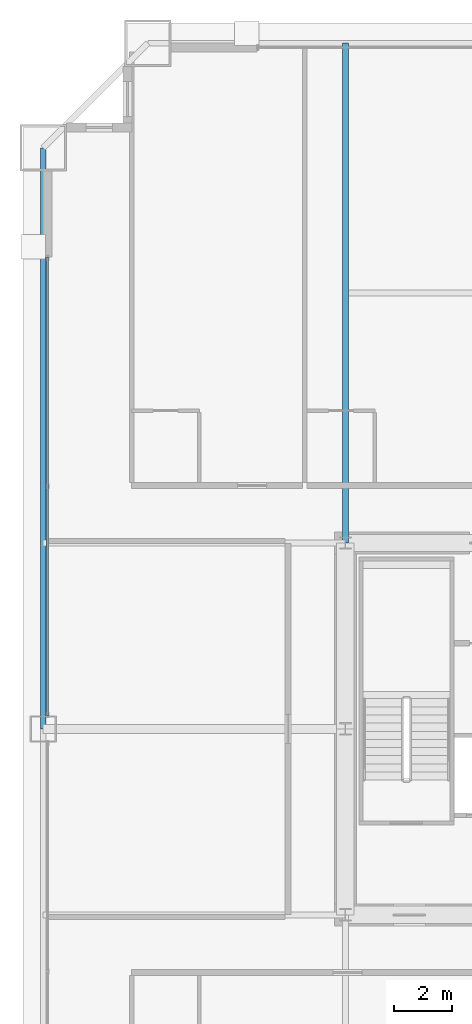
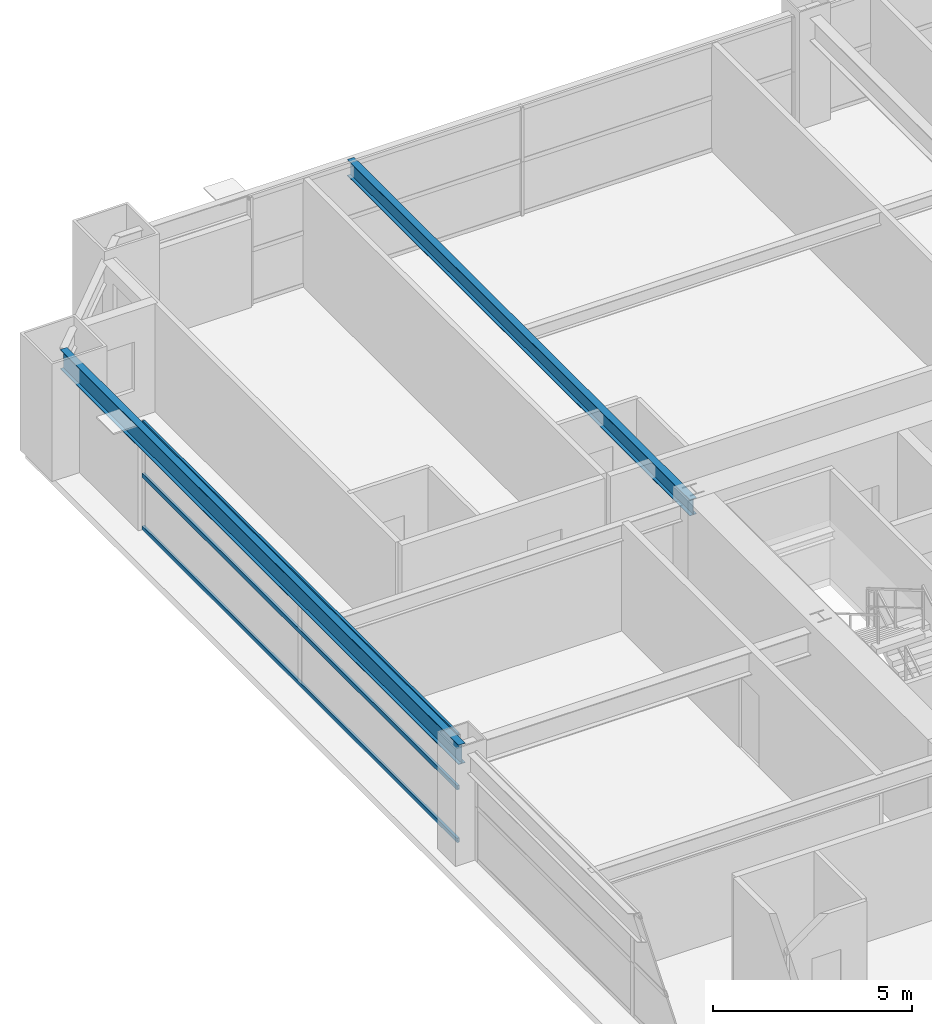
# One storey, part 21 of 38: 3 members, 2 beams, 1 element without a shape of its own.
"""IFC4 building model written with IfcOpenShell, lengths in metres."""

from ifc_helpers import new_model, si_unit, direction, frame, origin, origin_2d, place, context, subcontext, project, spatial, hollow_rectangle, i_section, extrude, source, transform, mapped, material, layer, layer_set, material_profile, profile_set, type_object, element, aggregate, save


model = new_model("IFC4")

# Units and contexts
model_context = context("Model", 3, precision=1e-05, world=origin(), true_north=direction((0.0, 1.0)))
body_context = subcontext(model_context, "Body", "Model", "MODEL_VIEW")
ifc_project = project(units=[si_unit("LENGTHUNIT", "METRE"), si_unit("AREAUNIT", "SQUARE_METRE"), si_unit("VOLUMEUNIT", "CUBIC_METRE"), si_unit("PLANEANGLEUNIT", "RADIAN"), si_unit("MASSUNIT", "GRAM", prefix="KILO"), si_unit("THERMODYNAMICTEMPERATUREUNIT", "KELVIN"), si_unit("POWERUNIT", "WATT")], contexts=[model_context])

# Site, building, storey
site_placement = place(None, origin())
site = spatial("IfcSite", under=ifc_project, at=site_placement, CompositionType="ELEMENT")
building_placement = place(site_placement, origin())
building = spatial("IfcBuilding", under=site, at=building_placement, Name="Yuzanri Waterfront Tower", CompositionType="ELEMENT")
storey_placement = place(building_placement, frame((0.0, 0.0, 126.199951171875)))
storey = spatial("IfcBuildingStorey", under=building, at=storey_placement, Name="L33", CompositionType="ELEMENT", Elevation=126.199951171875)

# Beams
ifc_material_1 = material(Name="Steel Q355B", Category="steel")
ifc_material_profile_1 = material_profile(ifc_material_1, i_section(OverallWidth=0.199951171875, OverallDepth=0.60009765625, WebThickness=0.010986328125, FlangeThickness=0.01708984375, at=origin_2d()), Name="HN 600x200x11x17")
ifc_profile_set_1 = profile_set([ifc_material_profile_1], Name="Steel Q355B")
beam_type_1 = type_object("IfcBeamType", Name="Perimeter Spandrel Q355B HN 600x200", PredefinedType="SPANDREL", material=ifc_profile_set_1)
shared_shape_1 = source(origin(), body_context, "Body", "SweptSolid", [
    extrude(i_section(OverallWidth=0.199951171875, OverallDepth=0.60009765625, WebThickness=0.010986328125, FlangeThickness=0.01708984375, at=origin_2d()), origin(), (0.0, 0.0, 1.0), 20.0),
])
beam_1_placement = place(storey_placement, frame((13.39990234375, 45.800048828125, 3.02001953125), z_axis=(0.0, -1.0, 0.0), x_axis=(1.0, 0.0, 0.0)))
element("IfcBeam", 1, at=beam_1_placement, inside=storey, type_object=beam_type_1, Name="L33 Perimeter Spandrel W3-W2", PredefinedType="SPANDREL", context=body_context, shape_type="MappedRepresentation", body=[
    mapped(shared_shape_1, transform((0.0, 0.0, 0.0), scale=1.0)),
])
ifc_material_2 = material(Name="Steel Q355B", Category="steel")
ifc_material_profile_2 = material_profile(ifc_material_2, i_section(OverallWidth=0.199951171875, OverallDepth=0.5, WebThickness=0.010009765625, FlangeThickness=0.01611328125, at=origin_2d()), Name="HN 500x200x10x16")
ifc_profile_set_2 = profile_set([ifc_material_profile_2], Name="Steel Q355B")
beam_type_2 = type_object("IfcBeamType", Name="Secondary Floor Beam Q355B HN 500x200", PredefinedType="BEAM", material=ifc_profile_set_2)
shared_shape_2 = source(origin(), body_context, "Body", "SweptSolid", [
    extrude(i_section(OverallWidth=0.199951171875, OverallDepth=0.5, WebThickness=0.010009765625, FlangeThickness=0.01611328125, at=origin_2d()), origin(), (0.0, 0.0, 1.0), 17.199951171875),
])
beam_2_placement = place(storey_placement, frame((23.800048828125, 32.199951171875, 3.070068359375), z_axis=(0.0, 1.0, 0.0), x_axis=(-1.0, 0.0, 0.0)))
element("IfcBeam", 2, at=beam_2_placement, inside=storey, type_object=beam_type_2, Name="L33 North-West Core Line Beam", PredefinedType="BEAM", context=body_context, shape_type="MappedRepresentation", body=[
    mapped(shared_shape_2, transform((0.0, 0.0, 0.0), scale=1.0)),
])

# Curtain wall, members
ifc_material_3 = material(Name="Anodized Architectural Bronze", Category="metal")
ifc_layer = layer(ifc_material_3, 0.159912109375)
ifc_layer_set = layer_set([ifc_layer], Name="Anodized Architectural Bronze")
curtain_wall_type = type_object("IfcCurtainWallType", Name="Anodized Bronze Hotel Upper-Tier Solar-Control Unitized Curtain Wall 7800", PredefinedType="NOTDEFINED", material=ifc_layer_set)
curtain_wall_placement = place(storey_placement, origin())
curtain_wall = element("IfcCurtainWall", 3, at=curtain_wall_placement, inside=storey, type_object=curtain_wall_type, Name="L33 Curtain Wall CW-L33-WR", PredefinedType="NOTDEFINED")
ifc_material_4 = material(Name="Anodized Architectural Bronze", Category="metal")
ifc_material_profile_3 = material_profile(ifc_material_4, hollow_rectangle(XDim=0.070068359375, YDim=0.135009765625, WallThickness=0.00341796875, at=origin_2d()), Name="CWT 70x135")
ifc_profile_set_3 = profile_set([ifc_material_profile_3], Name="Anodized Architectural Bronze")
member_type = type_object("IfcMemberType", Name="Anodized Bronze Standard Curtain-Wall Transom 70x135", PredefinedType="USERDEFINED", material=ifc_profile_set_3)
shared_shape_3 = source(origin(), body_context, "Body", "SweptSolid", [
    extrude(hollow_rectangle(XDim=0.070068359375, YDim=0.135009765625, WallThickness=0.00341796875, at=origin_2d()), origin(), (0.0, 0.0, 1.0), 15.800048828125),
])
member_1_placement = place(storey_placement, frame((13.550048828125, 26.25, 0.050048828125), z_axis=(0.0, 1.0, 0.0), x_axis=(-1.0, 0.0, 0.0)))
member_1 = element("IfcMember", 4, at=member_1_placement, type_object=member_type, Name="CW-L33-WR Transom 1", ObjectType="TRANSOM", PredefinedType="USERDEFINED", context=body_context, shape_type="MappedRepresentation", body=[
    mapped(shared_shape_3, transform((0.0, 0.0, 0.0), scale=1.0)),
])
member_2_placement = place(storey_placement, frame((13.550048828125, 26.25, 1.66015625), z_axis=(0.0, 1.0, 0.0), x_axis=(-1.0, 0.0, 0.0)))
member_2 = element("IfcMember", 5, at=member_2_placement, type_object=member_type, Name="CW-L33-WR Transom 2", ObjectType="TRANSOM", PredefinedType="USERDEFINED", context=body_context, shape_type="MappedRepresentation", body=[
    mapped(shared_shape_3, transform((0.0, 0.0, 0.0), scale=1.0)),
])
member_3_placement = place(storey_placement, frame((13.550048828125, 26.25, 3.27001953125), z_axis=(0.0, 1.0, 0.0), x_axis=(-1.0, 0.0, 0.0)))
member_3 = element("IfcMember", 6, at=member_3_placement, type_object=member_type, Name="CW-L33-WR Transom 3", ObjectType="TRANSOM", PredefinedType="USERDEFINED", context=body_context, shape_type="MappedRepresentation", body=[
    mapped(shared_shape_3, transform((0.0, 0.0, 0.0), scale=1.0)),
])
aggregate(curtain_wall, [member_1, member_2, member_3])

save(model, "model.ifc")
